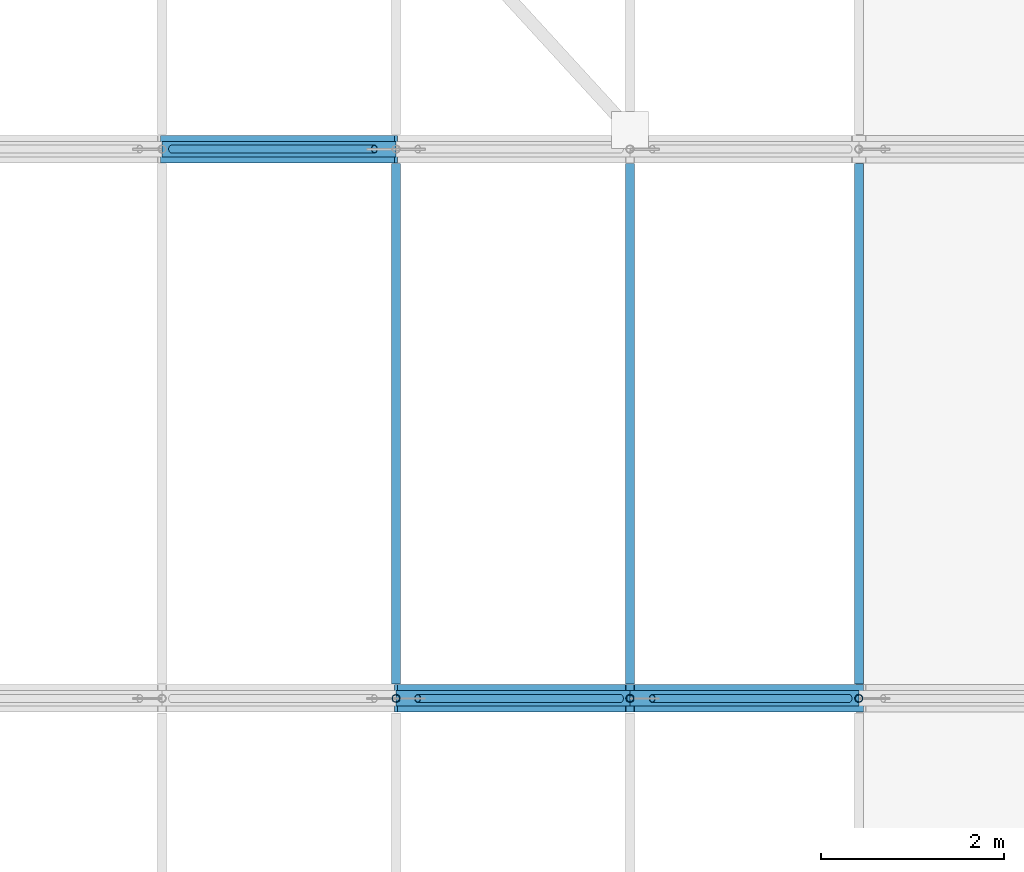
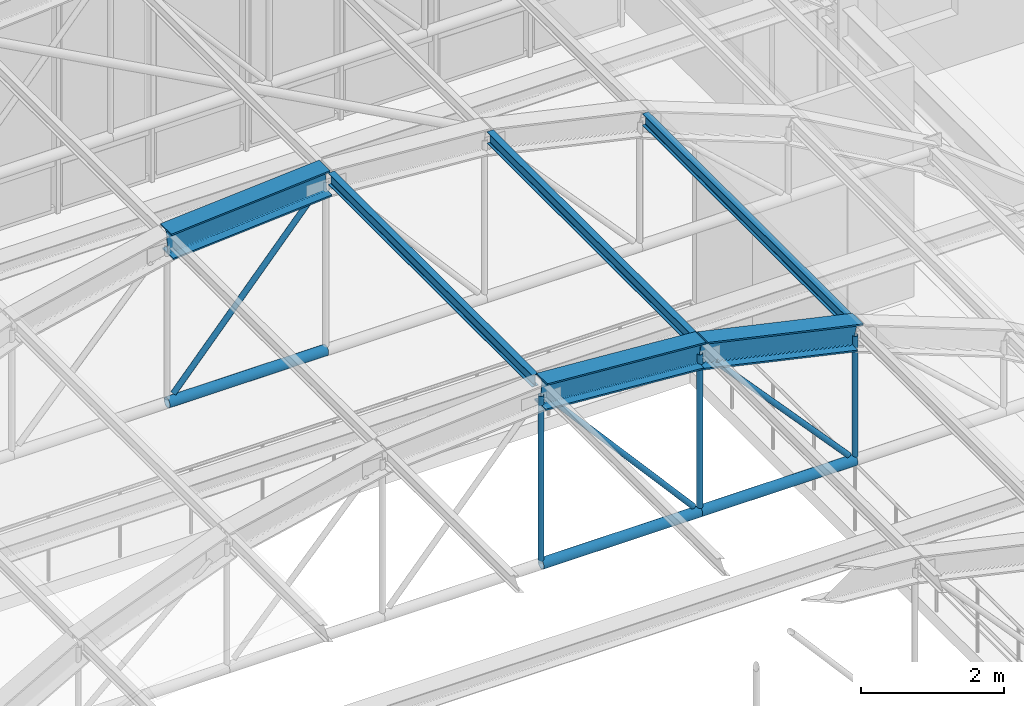
# One storey, part 47 of 148: 9 members, 6 beams.
"""IFC4 building model written with IfcOpenShell, lengths in metres."""

import ifcopenshell
import ifcopenshell.guid

model = None  # the IFC model being written
_history = None  # IfcOwnerHistory: only IFC2X3 demands one
_inside = {}  # id of a spatial element -> (the spatial element, [elements in it])
_under = {}  # id of a project, library or spatial element -> (it, [spatial elements below it])
_declared = {}  # id of a project -> (the project, [libraries it declares])
_typed = {}  # id of a type object -> (the type object, [elements of that type])
_made_of = {}  # id of a material, layer set ... -> (it, [elements and type objects made of it])


def new_model(schema):
    """Start an empty IFC model of exactly this schema.

    Asked for "IFC4X3", IfcOpenShell would pick the latest addendum, in which some entities
    have other attributes; the version numbers below select the first issue.
    IFC2X3 requires an IfcOwnerHistory on every rooted entity: one is made here for all.
    """
    global model, _history
    if schema == "IFC4X3":
        model = ifcopenshell.file(schema_version=(4, 3, 0, 0))
    else:
        model = ifcopenshell.file(schema=schema)
    _inside.clear()
    _under.clear()
    _declared.clear()
    _typed.clear()
    _made_of.clear()
    _history = None
    if model.schema == "IFC2X3":
        org = make("IfcOrganization", Name="unknown")
        user = make(
            "IfcPersonAndOrganization",
            ThePerson=make("IfcPerson", FamilyName="unknown"),
            TheOrganization=org,
        )
        app = make(
            "IfcApplication",
            ApplicationDeveloper=org,
            Version="unknown",
            ApplicationFullName="unknown",
            ApplicationIdentifier="unknown",
        )
        _history = make(
            "IfcOwnerHistory",
            OwningUser=user,
            OwningApplication=app,
            ChangeAction="ADDED",
            CreationDate=0,
        )
    return model


def make(cls, **values):
    """One entity of the class cls with the attributes given. An attribute that is None is left unset."""
    return model.create_entity(
        cls, **{name: value for name, value in values.items() if value is not None}
    )


def rooted(cls, **values):
    """An entity with a GlobalId (a new one), such as an element, a storey or a relation."""
    return make(cls, GlobalId=ifcopenshell.guid.new(), OwnerHistory=_history, **values)


def si_unit(unit_type, name, prefix=None):
    """IfcSIUnit, for example si_unit("LENGTHUNIT", "METRE", prefix="MILLI")."""
    return make("IfcSIUnit", UnitType=unit_type, Prefix=prefix, Name=name)


def assignment(units):
    """IfcUnitAssignment: the units of a project."""
    return None if units is None else make("IfcUnitAssignment", Units=units)


def point(xyz):
    """IfcCartesianPoint."""
    return None if xyz is None else make("IfcCartesianPoint", Coordinates=xyz)


def direction(xyz):
    """IfcDirection."""
    return None if xyz is None else make("IfcDirection", DirectionRatios=xyz)


def frame(location, z_axis=None, x_axis=None):
    """IfcAxis2Placement3D, a coordinate frame: its origin and axes. An axis left out is left unset."""
    return make(
        "IfcAxis2Placement3D",
        Location=point(location),
        Axis=direction(z_axis),
        RefDirection=direction(x_axis),
    )


def frame_2d(location, x_axis=None):
    """IfcAxis2Placement2D, a coordinate frame in the plane: its origin and x axis."""
    return make(
        "IfcAxis2Placement2D", Location=point(location), RefDirection=direction(x_axis)
    )


def origin():
    """The frame at (0, 0, 0) with its axes left unset."""
    return frame((0.0, 0.0, 0.0))


def origin_2d():
    """The frame at (0, 0) in the plane with its x axis left unset."""
    return frame_2d((0.0, 0.0))


def place(relative_to, where):
    """IfcLocalPlacement: puts the frame where relative to a parent placement (None: the world)."""
    return make(
        "IfcLocalPlacement", PlacementRelTo=relative_to, RelativePlacement=where
    )


def context(
    kind, dimensions, precision=None, world=None, true_north=None, identifier=None
):
    """IfcGeometricRepresentationContext, for example the 3D "Model" context."""
    return make(
        "IfcGeometricRepresentationContext",
        ContextIdentifier=identifier,
        ContextType=kind,
        CoordinateSpaceDimension=dimensions,
        Precision=precision,
        WorldCoordinateSystem=world,
        TrueNorth=true_north,
    )


def subcontext(parent, identifier, kind, view, scale=None):
    """IfcGeometricRepresentationSubContext, for example "Body" below "Model"."""
    return make(
        "IfcGeometricRepresentationSubContext",
        ContextIdentifier=identifier,
        ContextType=kind,
        ParentContext=parent,
        TargetScale=scale,
        TargetView=view,
    )


def project(units=None, contexts=None):
    """IfcProject with its units and contexts."""
    return rooted(
        "IfcProject",
        Name="project",
        RepresentationContexts=contexts,
        UnitsInContext=assignment(units),
    )


def spatial(cls, under=None, at=None, **own):
    """A site, building, storey or space (cls), placed at a placement, below another one or the project."""
    s = rooted(cls, ObjectPlacement=at, **own)
    if under is not None:
        _under.setdefault(under.id(), (under, []))[1].append(s)
    return s


def profile(cls, at=None, kind="AREA", **sizes):
    """A parametric profile (cls). Its sizes go by their IFC names, for example OverallWidth=200.0."""
    return make(cls, ProfileType=kind, Position=at, **sizes)


def hollow_circle(**sizes):
    """IfcCircleHollowProfileDef."""
    return profile("IfcCircleHollowProfileDef", **sizes)


def i_section(**sizes):
    """IfcIShapeProfileDef."""
    return profile("IfcIShapeProfileDef", **sizes)


def extrude(swept, where, along, depth):
    """IfcExtrudedAreaSolid: the profile swept, set in the frame where, extruded along a direction by depth."""
    return make(
        "IfcExtrudedAreaSolid",
        SweptArea=swept,
        Position=where,
        ExtrudedDirection=direction(along),
        Depth=depth,
    )


def shape(context_of_items, identifier, shape_type, items):
    """IfcShapeRepresentation: the items that make up one representation, for example the "Body"."""
    return make(
        "IfcShapeRepresentation",
        ContextOfItems=context_of_items,
        RepresentationIdentifier=identifier,
        RepresentationType=shape_type,
        Items=items,
    )


def material(Name=None, Category=None):
    """IfcMaterial."""
    return make("IfcMaterial", Name=Name, Category=Category)


def material_profile(
    of_material, cross_section, Name=None, Category=None, Priority=None
):
    """IfcMaterialProfile: a cross section and its material."""
    return make(
        "IfcMaterialProfile",
        Name=Name,
        Material=of_material,
        Profile=cross_section,
        Priority=Priority,
        Category=Category,
    )


def profile_set(profiles, Name=None, composite=None):
    """IfcMaterialProfileSet."""
    return make(
        "IfcMaterialProfileSet",
        Name=Name,
        MaterialProfiles=profiles,
        CompositeProfile=composite,
    )


def made_of(thing, what):
    """Note that an element or type object is made of a material, layer set ...; save() writes the relation."""
    if what is not None:
        _made_of.setdefault(what.id(), (what, []))[1].append(thing)
    return thing


def type_object(cls, material=None, **own):
    """A type object (cls), such as IfcWallType, which elements share."""
    return made_of(rooted(cls, **own), material)


def element(
    cls,
    number,
    at=None,
    inside=None,
    cuts=None,
    type_object=None,
    material=None,
    context=None,
    identifier="Body",
    shape_type=None,
    held_by="IfcProductDefinitionShape",
    body=None,
    shapes=None,
    **own,
):
    """One element of the class cls, such as IfcWall. Its Tag is "e" and its number.

    at: its placement. inside: the storey or other place that contains it. cuts: it is an
    opening in that element (IfcRelVoidsElement). A single representation is given by context,
    identifier, shape_type and body (its items); several are given by shapes. held_by: the class
    of the entity that holds the representations. save() writes the other relations.
    """
    e = rooted(cls, Tag="e%d" % number, ObjectPlacement=at, **own)
    if body is not None:
        shapes = [shape(context, identifier, shape_type, body)]
    if shapes is not None:
        e.Representation = make(held_by, Representations=shapes)
    if inside is not None:
        _inside.setdefault(inside.id(), (inside, []))[1].append(e)
    if cuts is not None:
        rooted(
            "IfcRelVoidsElement", RelatingBuildingElement=cuts, RelatedOpeningElement=e
        )
    if type_object is not None:
        _typed.setdefault(type_object.id(), (type_object, []))[1].append(e)
    return made_of(e, material)


def aggregate(whole, parts):
    """IfcRelAggregates: a whole, such as a stair, and the parts it consists of."""
    return rooted("IfcRelAggregates", RelatingObject=whole, RelatedObjects=parts)


def save(model, path):
    """Write the relations noted so far, then the file.

    IfcRelAggregates (storeys below a building ...), IfcRelContainedInSpatialStructure (elements
    in a storey), IfcRelDefinesByType, IfcRelAssociatesMaterial and IfcRelDeclares: one each for
    every whole, place, type object, material and project.
    """
    for whole, parts in _under.values():
        aggregate(whole, parts)
    for where, things in _inside.values():
        rooted(
            "IfcRelContainedInSpatialStructure",
            RelatedElements=things,
            RelatingStructure=where,
        )
    for kind, things in _typed.values():
        rooted("IfcRelDefinesByType", RelatedObjects=things, RelatingType=kind)
    for what, things in _made_of.values():
        rooted("IfcRelAssociatesMaterial", RelatedObjects=things, RelatingMaterial=what)
    for by, libraries in _declared.values():
        rooted("IfcRelDeclares", RelatingContext=by, RelatedDefinitions=libraries)
    model.write(path)


model = new_model("IFC4")

# Units and contexts
model_context = context("Model", 3, precision=1e-05, world=origin(), true_north=direction((0.0, 1.0)))
body_context = subcontext(model_context, "Body", "Model", "MODEL_VIEW")
ifc_project = project(units=[si_unit("LENGTHUNIT", "METRE"), si_unit("AREAUNIT", "SQUARE_METRE"), si_unit("VOLUMEUNIT", "CUBIC_METRE"), si_unit("PLANEANGLEUNIT", "RADIAN"), si_unit("MASSUNIT", "GRAM", prefix="KILO"), si_unit("THERMODYNAMICTEMPERATUREUNIT", "KELVIN"), si_unit("POWERUNIT", "WATT")], contexts=[model_context])

# Site, building, storey
site_placement = place(None, origin())
site = spatial("IfcSite", under=ifc_project, at=site_placement, CompositionType="ELEMENT")
building_placement = place(site_placement, origin())
building = spatial("IfcBuilding", under=site, at=building_placement, Name="Solvatero Civic Police Headquarters", CompositionType="ELEMENT")
storey_placement = place(building_placement, frame((0.0, 0.0, 5.10009765625)))
storey = spatial("IfcBuildingStorey", under=building, at=storey_placement, Name="L01", CompositionType="ELEMENT", Elevation=5.10009765625)

# Beams
ifc_material = material(Name="Steel S355", Category="steel")
ifc_material_profile_1 = material_profile(ifc_material, i_section(OverallWidth=0.300048828125, OverallDepth=0.449951171875, WebThickness=0.013916015625, FlangeThickness=0.02587890625, FilletRadius=0.027099609375, at=origin_2d()), Name="HEB 450")
ifc_profile_set_1 = profile_set([ifc_material_profile_1], Name="Steel S355")
beam_type_1 = type_object("IfcBeamType", Name="BM-ST-HEB450", PredefinedType="BEAM", material=ifc_profile_set_1)
beam_1_placement = place(storey_placement, frame((110.5, 28.800048828125, 8.31396484375), z_axis=(0.997304549883, 0.0, -0.073373256584), x_axis=(0.0, 1.0, 0.0)))
element("IfcBeam", 1, at=beam_1_placement, inside=storey, type_object=beam_type_1, Name="VLT1 Tied-Arch Vault Top Chord F5.6", PredefinedType="BEAM", context=body_context, shape_type="SweptSolid", body=[
    extrude(i_section(OverallWidth=0.300048828125, OverallDepth=0.449951171875, WebThickness=0.013916015625, FlangeThickness=0.02587890625, FilletRadius=0.027099609375, at=origin_2d()), origin(), (0.0, 0.0, 1.0), 2.56201171875),
])
beam_2_placement = place(storey_placement, frame((113.05517578125, 28.800048828125, 8.1171875), z_axis=(0.975854055758, 0.0, -0.218423583574), x_axis=(0.0, 1.0, 0.0)))
element("IfcBeam", 2, at=beam_2_placement, inside=storey, type_object=beam_type_1, Name="VLT1 Tied-Arch Vault Top Chord F5.7", PredefinedType="BEAM", context=body_context, shape_type="SweptSolid", body=[
    extrude(i_section(OverallWidth=0.300048828125, OverallDepth=0.449951171875, WebThickness=0.013916015625, FlangeThickness=0.02587890625, FilletRadius=0.027099609375, at=origin_2d()), origin(), (0.0, 0.0, 1.0), 2.561767578125),
])
beam_3_placement = place(storey_placement, frame((107.94482421875, 34.800048828125, 8.1259765625), z_axis=(0.997304549883, 0.0, 0.073373256584), x_axis=(0.0, 1.0, 0.0)))
element("IfcBeam", 3, at=beam_3_placement, inside=storey, type_object=beam_type_1, Name="VLT1 Tied-Arch Vault Top Chord F6.5", PredefinedType="BEAM", context=body_context, shape_type="SweptSolid", body=[
    extrude(i_section(OverallWidth=0.300048828125, OverallDepth=0.449951171875, WebThickness=0.013916015625, FlangeThickness=0.02587890625, FilletRadius=0.027099609375, at=origin_2d()), origin(), (0.0, 0.0, 1.0), 2.56201171875),
])
ifc_material_profile_2 = material_profile(ifc_material, i_section(OverallWidth=0.10009765625, OverallDepth=0.199951171875, WebThickness=0.005615234375, FlangeThickness=0.008544921875, FilletRadius=0.011962890625, at=origin_2d()), Name="IPE 200")
ifc_profile_set_2 = profile_set([ifc_material_profile_2], Name="Steel S355")
beam_type_2 = type_object("IfcBeamType", Name="BM-ST-IPE200", PredefinedType="JOIST", material=ifc_profile_set_2)
for number, where, z_axis, x_axis, name in (
    (4, (110.5, 28.9580078125, 8.41455078125), (0.0, 1.0, 0.0), (-1.0, 0.0, 0.0), "VLT1 Vault Roof Purlin B5.5"),
    (5, (113.05517578125, 28.9580078125, 8.222900390625), (0.0, 1.0, 0.0), (-1.0, 0.0, 0.0), "VLT1 Vault Roof Purlin B5.6"),
    (6, (115.55517578125, 28.9580078125, 7.65576171875), (0.0, 1.0, 0.0), (-1.0, 0.0, 0.0), "VLT1 Vault Roof Purlin B5.7"),
):
    element("IfcBeam", number, at=place(storey_placement, frame(where, z_axis=z_axis, x_axis=x_axis)), inside=storey, type_object=beam_type_2, Name=name, PredefinedType="JOIST", context=body_context, shape_type="SweptSolid", body=[
        extrude(i_section(OverallWidth=0.10009765625, OverallDepth=0.199951171875, WebThickness=0.005615234375, FlangeThickness=0.008544921875, FilletRadius=0.011962890625, at=origin_2d()), origin(), (0.0, 0.0, 1.0), 5.68408203125),
    ])

# Members
ifc_material_profile_3 = material_profile(ifc_material, hollow_circle(Radius=0.04443359375, WallThickness=0.00634765625, at=origin_2d()), Name="CHS 88.9x6.3")
ifc_profile_set_3 = profile_set([ifc_material_profile_3], Name="Steel S355")
member_type_1 = type_object("IfcMemberType", Name="MB-HNG-CHS89", PredefinedType="STRUT", material=ifc_profile_set_3)
member_1_placement = place(storey_placement, frame((112.949951171875, 28.800048828125, 5.51220703125), z_axis=(-0.657605371239, 0.0, 0.753362579186), x_axis=(0.0, -1.0, 0.0)))
element("IfcMember", 7, at=member_1_placement, inside=storey, type_object=member_type_1, Name="VLT1 Vault Truss Diagonal Web F5.5", PredefinedType="STRUT", context=body_context, shape_type="SweptSolid", body=[
    extrude(hollow_circle(Radius=0.04443359375, WallThickness=0.00634765625, at=origin_2d()), origin(), (0.0, 0.0, 1.0), 3.365478515625),
])
member_2_placement = place(storey_placement, frame((115.447265625, 28.800048828125, 5.509765625), z_axis=(-0.674096872288, 0.0, 0.73864294945), x_axis=(0.0, -1.0, 0.0)))
element("IfcMember", 8, at=member_2_placement, inside=storey, type_object=member_type_1, Name="VLT1 Vault Truss Diagonal Web F5.6", PredefinedType="STRUT", context=body_context, shape_type="SweptSolid", body=[
    extrude(hollow_circle(Radius=0.04443359375, WallThickness=0.00634765625, at=origin_2d()), origin(), (0.0, 0.0, 1.0), 3.1884765625),
])
member_3_placement = place(storey_placement, frame((110.5, 28.800048828125, 5.431640625), z_axis=(0.0, 0.0, 1.0), x_axis=(1.0, 0.0, 0.0)))
element("IfcMember", 9, at=member_3_placement, inside=storey, type_object=member_type_1, Name="VLT1 Vault Vertical Hanger F5.5", PredefinedType="STRUT", context=body_context, shape_type="SweptSolid", body=[
    extrude(hollow_circle(Radius=0.04443359375, WallThickness=0.00634765625, at=origin_2d()), origin(), (0.0, 0.0, 1.0), 2.837158203125),
])
member_4_placement = place(storey_placement, frame((113.05517578125, 28.800048828125, 5.431640625), z_axis=(0.0, 0.0, 1.0), x_axis=(1.0, 0.0, 0.0)))
element("IfcMember", 10, at=member_4_placement, inside=storey, type_object=member_type_1, Name="VLT1 Vault Vertical Hanger F5.6", PredefinedType="STRUT", context=body_context, shape_type="SweptSolid", body=[
    extrude(hollow_circle(Radius=0.04443359375, WallThickness=0.00634765625, at=origin_2d()), origin(), (0.0, 0.0, 1.0), 2.649169921875),
])
member_5_placement = place(storey_placement, frame((115.55517578125, 28.800048828125, 5.431640625), z_axis=(0.0, 0.0, 1.0), x_axis=(1.0, 0.0, 0.0)))
element("IfcMember", 11, at=member_5_placement, inside=storey, type_object=member_type_1, Name="VLT1 Vault Vertical Hanger F5.7", PredefinedType="STRUT", context=body_context, shape_type="SweptSolid", body=[
    extrude(hollow_circle(Radius=0.04443359375, WallThickness=0.00634765625, at=origin_2d()), origin(), (0.0, 0.0, 1.0), 2.08935546875),
])
member_6_placement = place(storey_placement, frame((108.050048828125, 34.800048828125, 5.51220703125), z_axis=(0.657605371239, 0.0, 0.753362579186), x_axis=(0.0, 1.0, 0.0)))
element("IfcMember", 12, at=member_6_placement, inside=storey, type_object=member_type_1, Name="VLT1 Vault Truss Diagonal Web F6.4", PredefinedType="STRUT", context=body_context, shape_type="SweptSolid", body=[
    extrude(hollow_circle(Radius=0.04443359375, WallThickness=0.00634765625, at=origin_2d()), origin(), (0.0, 0.0, 1.0), 3.365478515625),
])
ifc_material_profile_4 = material_profile(ifc_material, hollow_circle(Radius=0.084228515625, WallThickness=0.010009765625, at=origin_2d()), Name="CHS 168.3x10.0")
ifc_profile_set_4 = profile_set([ifc_material_profile_4], Name="Steel S355")
member_type_2 = type_object("IfcMemberType", Name="MB-TIE-CHS168", PredefinedType="CHORD", material=ifc_profile_set_4)
member_7_placement = place(storey_placement, frame((110.5, 28.800048828125, 5.3916015625), z_axis=(1.0, 0.0, 0.0), x_axis=(0.0, 1.0, 0.0)))
element("IfcMember", 13, at=member_7_placement, inside=storey, type_object=member_type_2, Name="VLT1 Vault Horizontal Tie Chord F5.5", PredefinedType="CHORD", context=body_context, shape_type="SweptSolid", body=[
    extrude(hollow_circle(Radius=0.084228515625, WallThickness=0.010009765625, at=origin_2d()), origin(), (0.0, 0.0, 1.0), 2.55517578125),
])
member_8_placement = place(storey_placement, frame((113.05517578125, 28.800048828125, 5.3916015625), z_axis=(1.0, 0.0, 0.0), x_axis=(0.0, 1.0, 0.0)))
element("IfcMember", 14, at=member_8_placement, inside=storey, type_object=member_type_2, Name="VLT1 Vault Horizontal Tie Chord F5.6", PredefinedType="CHORD", context=body_context, shape_type="SweptSolid", body=[
    extrude(hollow_circle(Radius=0.084228515625, WallThickness=0.010009765625, at=origin_2d()), origin(), (0.0, 0.0, 1.0), 2.5),
])
member_9_placement = place(storey_placement, frame((107.94482421875, 34.800048828125, 5.3916015625), z_axis=(1.0, 0.0, 0.0), x_axis=(0.0, 1.0, 0.0)))
element("IfcMember", 15, at=member_9_placement, inside=storey, type_object=member_type_2, Name="VLT1 Vault Horizontal Tie Chord F6.4", PredefinedType="CHORD", context=body_context, shape_type="SweptSolid", body=[
    extrude(hollow_circle(Radius=0.084228515625, WallThickness=0.010009765625, at=origin_2d()), origin(), (0.0, 0.0, 1.0), 2.55517578125),
])

save(model, "model.ifc")
